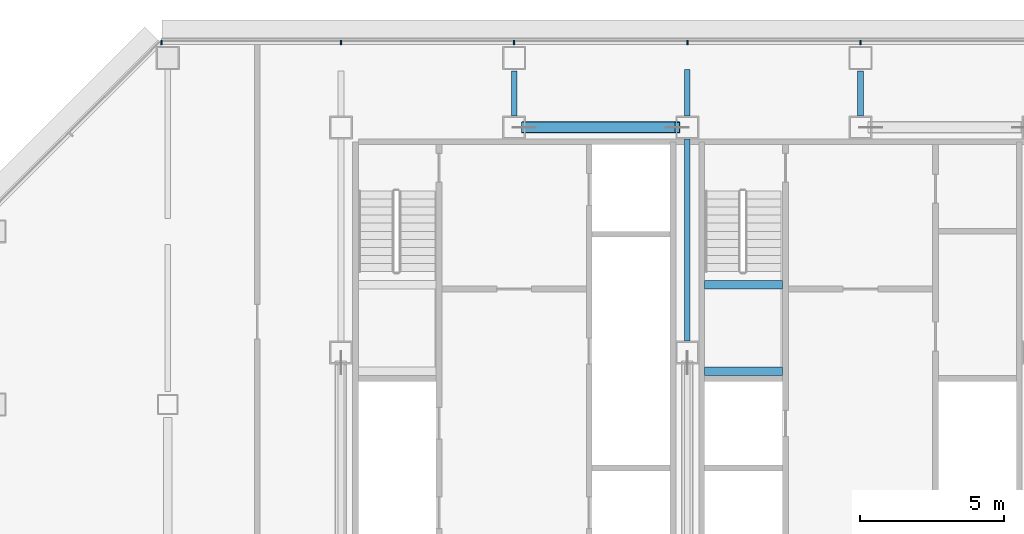
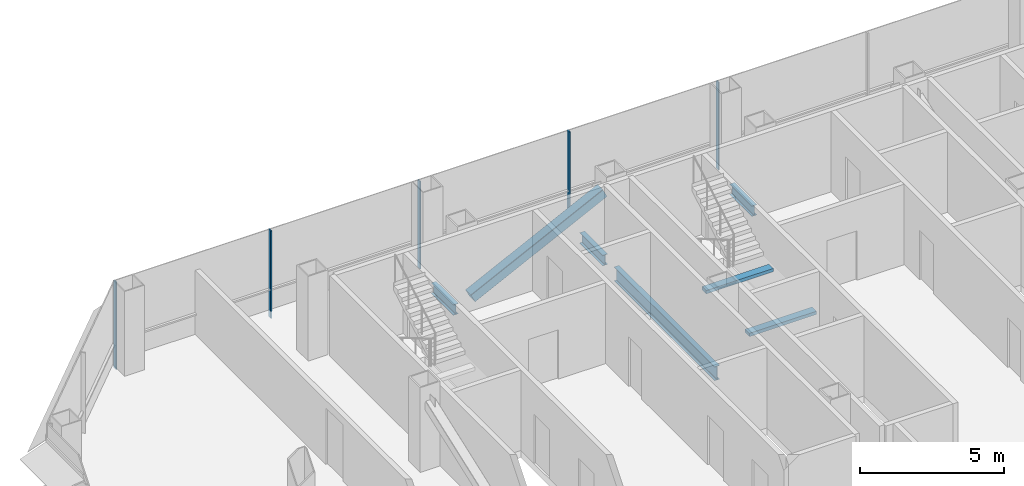
# One storey, part 11 of 28: 6 beams, 6 members, 1 element without a shape of its own.
"""IFC4 building model written with IfcOpenShell, lengths in metres."""

from ifc_helpers import new_model, si_unit, direction, frame, origin, origin_2d, place, context, subcontext, project, spatial, rectangle, hollow_rectangle, i_section, extrude, material, material_profile, profile_set, type_object, element, aggregate, save


model = new_model("IFC4")

# Units and contexts
model_context = context("Model", 3, precision=1e-05, world=origin(), true_north=direction((0.0, 1.0)))
body_context = subcontext(model_context, "Body", "Model", "MODEL_VIEW")
ifc_project = project(units=[si_unit("LENGTHUNIT", "METRE"), si_unit("AREAUNIT", "SQUARE_METRE"), si_unit("VOLUMEUNIT", "CUBIC_METRE"), si_unit("PLANEANGLEUNIT", "RADIAN"), si_unit("MASSUNIT", "GRAM", prefix="KILO")], contexts=[model_context])

# Site, building, storey
site_placement = place(None, origin())
site = spatial("IfcSite", under=ifc_project, at=site_placement, CompositionType="ELEMENT")
building_placement = place(site_placement, origin())
building = spatial("IfcBuilding", under=site, at=building_placement, Name="Sorahane Residences", CompositionType="ELEMENT")
storey_placement = place(building_placement, frame((0.0, 0.0, 96.199951171875)))
storey = spatial("IfcBuildingStorey", under=building, at=storey_placement, Name="L20", CompositionType="ELEMENT", Elevation=96.199951171875)

# Member
ifc_material_1 = material(Name="Steel Q355B", Category="steel")
ifc_material_profile_1 = material_profile(ifc_material_1, hollow_rectangle(XDim=0.39990234375, YDim=0.39990234375, WallThickness=0.02001953125, InnerFilletRadius=0.010009765625, OuterFilletRadius=0.030029296875, at=origin_2d()), Name="RHS 400x400x20")
ifc_profile_set_1 = profile_set([ifc_material_profile_1], Name="Steel Q355B")
member_type_1 = type_object("IfcMemberType", Name="Core brace RHS 400x400x20 Q355B", PredefinedType="BRACE", material=ifc_profile_set_1)
member_1_placement = place(storey_placement, frame((12.346923828125, 45.60009765625, 0.173828125), z_axis=(0.896480070819, 0.0, 0.443084058192), x_axis=(0.0, 1.0, 0.0)))
element("IfcMember", 1, at=member_1_placement, inside=storey, type_object=member_type_1, Name="Core brace L20 y45.6-2", PredefinedType="BRACE", context=body_context, shape_type="SweptSolid", body=[
    extrude(hollow_rectangle(XDim=0.39990234375, YDim=0.39990234375, WallThickness=0.02001953125, InnerFilletRadius=0.010009765625, OuterFilletRadius=0.030029296875, at=origin_2d()), origin(), (0.0, 0.0, 1.0), 5.9189453125),
])

# Curtain wall, members
ifc_material_2 = material(Name="Dark low-e glass and black anodised aluminium", Category="aluminium")
curtain_wall_type = type_object("IfcCurtainWallType", Name="Curtain wall CW-1 Typical unitised wall", PredefinedType="NOTDEFINED", material=ifc_material_2)
curtain_wall_placement = place(storey_placement, origin())
curtain_wall = element("IfcCurtainWall", 2, at=curtain_wall_placement, inside=storey, type_object=curtain_wall_type, Name="CW-1 curtain wall L20 N1", PredefinedType="NOTDEFINED")
ifc_material_3 = material(Name="Black anodised aluminium", Category="aluminium")
ifc_material_profile_2 = material_profile(ifc_material_3, rectangle(XDim=0.159912109375, YDim=0.050048828125, at=origin_2d()), Name="Curtain wall mullion CW-1 black anodised aluminium 50x160")
ifc_profile_set_2 = profile_set([ifc_material_profile_2], Name="Black anodised aluminium")
member_type_2 = type_object("IfcMemberType", Name="Curtain wall mullion CW-1 black anodised aluminium 50x160", PredefinedType="MULLION", material=ifc_profile_set_2)
member_2_placement = place(storey_placement, frame((24.0, 48.5400390625, -0.300048828125), z_axis=(0.0, 0.0, 1.0), x_axis=(0.0, 1.0, 0.0)))
member_2 = element("IfcMember", 3, at=member_2_placement, type_object=member_type_2, Name="CW-1 mullion L20 N1.6", PredefinedType="MULLION", context=body_context, shape_type="SweptSolid", body=[
    extrude(rectangle(XDim=0.159912109375, YDim=0.050048828125, at=origin_2d()), origin(), (0.0, 0.0, 1.0), 3.72021484375),
])
member_3_placement = place(storey_placement, frame((18.0, 48.5400390625, -0.300048828125), z_axis=(0.0, 0.0, 1.0), x_axis=(0.0, 1.0, 0.0)))
member_3 = element("IfcMember", 4, at=member_3_placement, type_object=member_type_2, Name="CW-1 mullion L20 N1.7", PredefinedType="MULLION", context=body_context, shape_type="SweptSolid", body=[
    extrude(rectangle(XDim=0.159912109375, YDim=0.050048828125, at=origin_2d()), origin(), (0.0, 0.0, 1.0), 3.72021484375),
])
member_4_placement = place(storey_placement, frame((12.0, 48.5400390625, -0.300048828125), z_axis=(0.0, 0.0, 1.0), x_axis=(0.0, 1.0, 0.0)))
member_4 = element("IfcMember", 5, at=member_4_placement, type_object=member_type_2, Name="CW-1 mullion L20 N1.8", PredefinedType="MULLION", context=body_context, shape_type="SweptSolid", body=[
    extrude(rectangle(XDim=0.159912109375, YDim=0.050048828125, at=origin_2d()), origin(), (0.0, 0.0, 1.0), 3.72021484375),
])
member_5_placement = place(storey_placement, frame((6.0, 48.5400390625, -0.300048828125), z_axis=(0.0, 0.0, 1.0), x_axis=(0.0, 1.0, 0.0)))
member_5 = element("IfcMember", 6, at=member_5_placement, type_object=member_type_2, Name="CW-1 mullion L20 N1.9", PredefinedType="MULLION", context=body_context, shape_type="SweptSolid", body=[
    extrude(rectangle(XDim=0.159912109375, YDim=0.050048828125, at=origin_2d()), origin(), (0.0, 0.0, 1.0), 3.72021484375),
])
member_6_placement = place(storey_placement, frame((-0.2236328125, 48.5400390625, -0.300048828125), z_axis=(0.0, 0.0, 1.0), x_axis=(0.0, 1.0, 0.0)))
member_6 = element("IfcMember", 7, at=member_6_placement, type_object=member_type_2, Name="CW-1 mullion L20 N1.10", PredefinedType="MULLION", context=body_context, shape_type="SweptSolid", body=[
    extrude(rectangle(XDim=0.159912109375, YDim=0.050048828125, at=origin_2d()), origin(), (0.0, 0.0, 1.0), 3.72021484375),
])
aggregate(curtain_wall, [member_2, member_3, member_4, member_5, member_6])

# Beams
ifc_material_4 = material(Name="Concrete C40", Category="concrete")
ifc_material_profile_3 = material_profile(ifc_material_4, rectangle(XDim=0.300048828125, YDim=0.139892578125, at=origin_2d()), Name="300x140")
ifc_profile_set_3 = profile_set([ifc_material_profile_3], Name="Concrete C40")
beam_type_1 = type_object("IfcBeamType", Name="RC landing beam 300 x 140 Concrete C40", PredefinedType="BEAM", material=ifc_profile_set_3)
for number, where, z_axis, x_axis, name in (
    (8, (18.60009765625, 37.14990234375, 1.530029296875), (1.0, 0.0, 0.0), (0.0, 1.0, 0.0), "Landing beam"),
    (9, (18.60009765625, 40.14990234375, 1.530029296875), (1.0, 0.0, 0.0), (0.0, 1.0, 0.0), "Landing beam"),
):
    element("IfcBeam", number, at=place(storey_placement, frame(where, z_axis=z_axis, x_axis=x_axis)), inside=storey, type_object=beam_type_1, Name=name, PredefinedType="BEAM", context=body_context, shape_type="SweptSolid", body=[
        extrude(rectangle(XDim=0.300048828125, YDim=0.139892578125, at=origin_2d()), origin(), (0.0, 0.0, 1.0), 2.699951171875),
    ])
ifc_material_5 = material(Name="Steel Q355B", Category="steel")
ifc_material_profile_4 = material_profile(ifc_material_5, i_section(OverallWidth=0.199951171875, OverallDepth=0.449951171875, WebThickness=0.009033203125, FlangeThickness=0.013916015625, FilletRadius=0.02001953125, at=origin_2d()), Name="HN 450x200x9x14")
ifc_profile_set_4 = profile_set([ifc_material_profile_4], Name="Steel Q355B")
beam_type_2 = type_object("IfcBeamType", Name="Steel floor beam HN 450x200x9x14 Q355B", PredefinedType="BEAM", material=ifc_profile_set_4)
beam_1_placement = place(storey_placement, frame((12.0, 46.0, -0.52490234375), z_axis=(0.0, 1.0, 0.0), x_axis=(-1.0, 0.0, 0.0)))
element("IfcBeam", 10, at=beam_1_placement, inside=storey, type_object=beam_type_2, Name="Beam L20 016", PredefinedType="BEAM", context=body_context, shape_type="SweptSolid", body=[
    extrude(i_section(OverallWidth=0.199951171875, OverallDepth=0.449951171875, WebThickness=0.009033203125, FlangeThickness=0.013916015625, FilletRadius=0.02001953125, at=origin_2d()), origin(), (0.0, 0.0, 1.0), 1.550048828125),
])
beam_2_placement = place(storey_placement, frame((18.0, 46.0, -0.52490234375), z_axis=(0.0, 1.0, 0.0), x_axis=(-1.0, 0.0, 0.0)))
element("IfcBeam", 11, at=beam_2_placement, inside=storey, type_object=beam_type_2, Name="Beam L20 023", PredefinedType="BEAM", context=body_context, shape_type="SweptSolid", body=[
    extrude(i_section(OverallWidth=0.199951171875, OverallDepth=0.449951171875, WebThickness=0.009033203125, FlangeThickness=0.013916015625, FilletRadius=0.02001953125, at=origin_2d()), origin(), (0.0, 0.0, 1.0), 1.60009765625),
])
beam_3_placement = place(storey_placement, frame((24.0, 46.0, -0.52490234375), z_axis=(0.0, 1.0, 0.0), x_axis=(-1.0, 0.0, 0.0)))
element("IfcBeam", 12, at=beam_3_placement, inside=storey, type_object=beam_type_2, Name="Beam L20 026", PredefinedType="BEAM", context=body_context, shape_type="SweptSolid", body=[
    extrude(i_section(OverallWidth=0.199951171875, OverallDepth=0.449951171875, WebThickness=0.009033203125, FlangeThickness=0.013916015625, FilletRadius=0.02001953125, at=origin_2d()), origin(), (0.0, 0.0, 1.0), 1.550048828125),
])
ifc_material_6 = material(Name="Steel Q355B", Category="steel")
ifc_material_profile_5 = material_profile(ifc_material_6, i_section(OverallWidth=0.199951171875, OverallDepth=0.60009765625, WebThickness=0.010986328125, FlangeThickness=0.01708984375, FilletRadius=0.02392578125, at=origin_2d()), Name="HN 600x200x11x17")
ifc_profile_set_5 = profile_set([ifc_material_profile_5], Name="Steel Q355B")
beam_type_3 = type_object("IfcBeamType", Name="Steel floor beam HN 600x200x11x17 Q355B", PredefinedType="BEAM", material=ifc_profile_set_5)
beam_4_placement = place(storey_placement, frame((18.0, 38.199951171875, -0.599853515625), z_axis=(0.0, 1.0, 0.0), x_axis=(-1.0, 0.0, 0.0)))
element("IfcBeam", 13, at=beam_4_placement, inside=storey, type_object=beam_type_3, Name="Beam L20 022", PredefinedType="BEAM", context=body_context, shape_type="SweptSolid", body=[
    extrude(i_section(OverallWidth=0.199951171875, OverallDepth=0.60009765625, WebThickness=0.010986328125, FlangeThickness=0.01708984375, FilletRadius=0.02392578125, at=origin_2d()), origin(), (0.0, 0.0, 1.0), 7.0),
])

save(model, "model.ifc")
